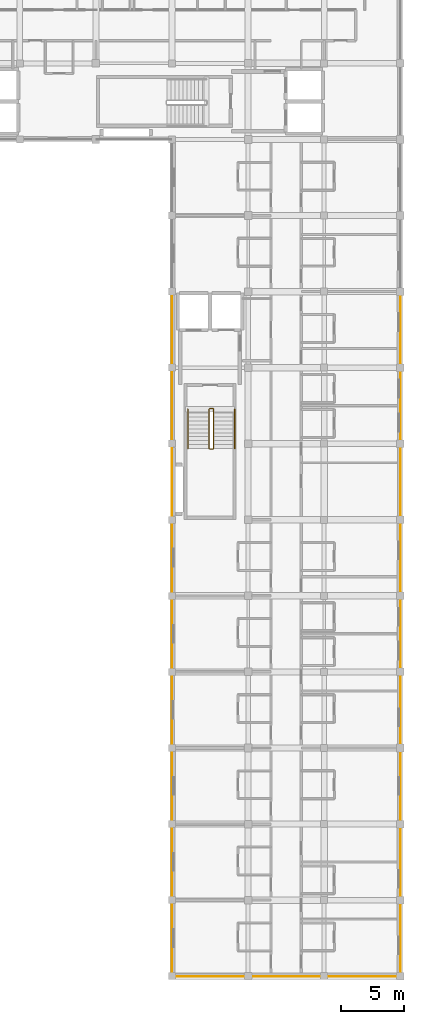
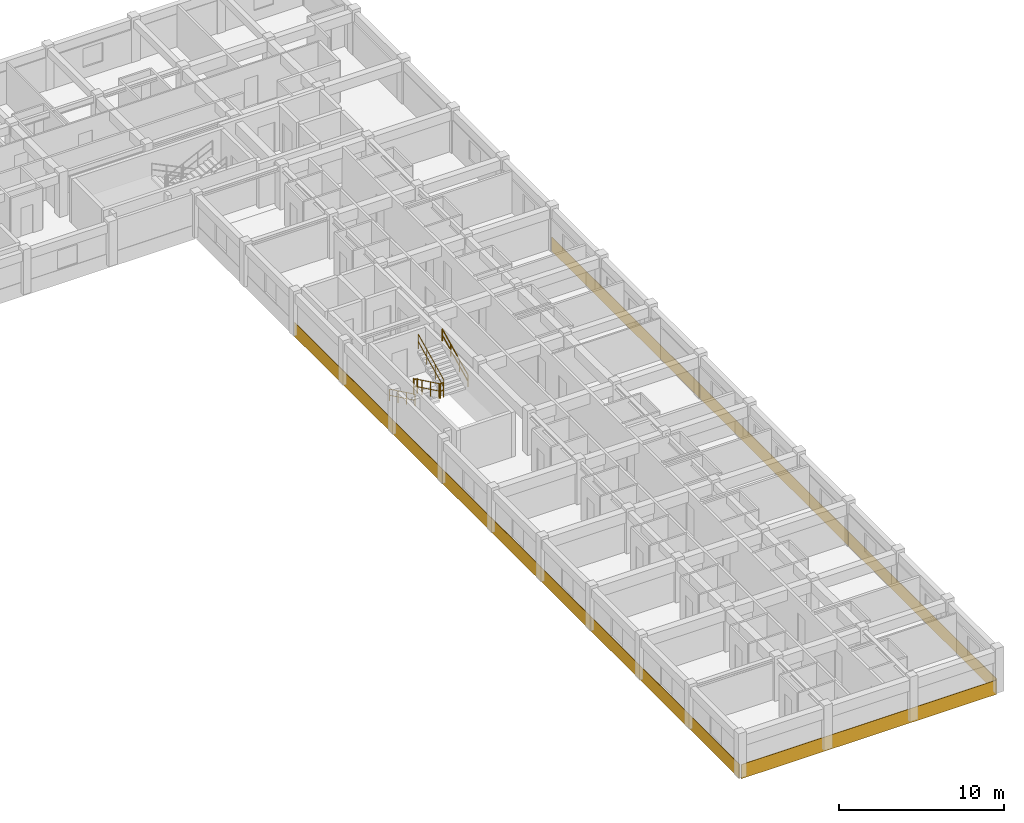
# One storey, part 18 of 22: 7 coverings, 6 railings.
"""IFC4 building model written with IfcOpenShell, lengths in metres."""

from ifc_helpers import new_model, si_unit, direction, frame, origin, origin_2d, place, context, subcontext, project, spatial, polyline, circle, outline, extrude, material, layer, layer_set, type_object, element, save


model = new_model("IFC4")

# Units and contexts
model_context = context("Model", 3, precision=1e-05, world=origin(), true_north=direction((0.0, 1.0)))
body_context = subcontext(model_context, "Body", "Model", "MODEL_VIEW")
ifc_project = project(units=[si_unit("LENGTHUNIT", "METRE"), si_unit("AREAUNIT", "SQUARE_METRE"), si_unit("VOLUMEUNIT", "CUBIC_METRE"), si_unit("PLANEANGLEUNIT", "RADIAN"), si_unit("MASSUNIT", "GRAM", prefix="KILO"), si_unit("THERMODYNAMICTEMPERATUREUNIT", "KELVIN"), si_unit("POWERUNIT", "WATT")], contexts=[model_context])

# Site, building, storey
site_placement = place(None, origin())
site = spatial("IfcSite", under=ifc_project, at=site_placement, CompositionType="ELEMENT")
building_placement = place(site_placement, origin())
building = spatial("IfcBuilding", under=site, at=building_placement, Name="Phaisarnlok Congress Hotel", CompositionType="ELEMENT")
storey_placement = place(building_placement, frame((0.0, 0.0, 28.199951171875)))
storey = spatial("IfcBuildingStorey", under=building, at=storey_placement, Name="L06", CompositionType="ELEMENT", Elevation=28.199951171875)

# Coverings
ifc_material_1 = material(Name="Anodised Silver Aluminium Alloy 6063-T6", Category="aluminium")
ifc_layer = layer(ifc_material_1, 0.031982421875, Name="Anodised Silver Aluminium Alloy 6063-T6")
ifc_layer_set = layer_set([ifc_layer], Name="Anodised Silver Aluminium Alloy 6063-T6")
covering_type = type_object("IfcCoveringType", Name="COV-SPAND-ALU", PredefinedType="CLADDING", material=ifc_layer_set)
for number, where, z_axis, x_axis, name in (
    (1, (179.9951171875, 42.06005859375, -0.280029296875), (1.0, 0.0, 0.0), (0.0, 1.0, 0.0), "Swiss minimalist anodised silver rainscreen band CL-02 (L06 E)"),
    (2, (179.9951171875, 60.06005859375, -0.280029296875), (1.0, 0.0, 0.0), (0.0, 1.0, 0.0), "Swiss minimalist anodised silver rainscreen band CL-02 (L06 E)"),
    (3, (179.9951171875, 78.06005859375, -0.280029296875), (1.0, 0.0, 0.0), (0.0, 1.0, 0.0), "Swiss minimalist anodised silver rainscreen band CL-02 (L06 E)"),
    (4, (162.0048828125, 60.06005859375, -0.280029296875), (-1.0, 0.0, 0.0), (0.0, -1.0, 0.0), "Swiss minimalist anodised silver rainscreen band CL-02 (L06 W)"),
    (5, (162.0048828125, 78.06005859375, -0.280029296875), (-1.0, 0.0, 0.0), (0.0, -1.0, 0.0), "Swiss minimalist anodised silver rainscreen band CL-02 (L06 W)"),
    (6, (162.0048828125, 96.06005859375, -0.280029296875), (-1.0, 0.0, 0.0), (0.0, -1.0, 0.0), "Swiss minimalist anodised silver rainscreen band CL-02 (L06 W)"),
):
    element("IfcCovering", number, at=place(storey_placement, frame(where, z_axis=z_axis, x_axis=x_axis)), inside=storey, type_object=covering_type, Name=name, PredefinedType="CLADDING", context=body_context, shape_type="SweptSolid", body=[
        extrude(outline(polyline([(0.0, 0.0), (18.0, 0.0), (18.0, 1.050048828125), (0.0, 1.050048828125), (0.0, 0.0)])), origin(), (0.0, 0.0, 1.0), 0.031982421875),
    ])
covering_placement = place(storey_placement, frame((162.06005859375, 42.0048828125, -0.280029296875), z_axis=(0.0, -1.0, 0.0), x_axis=(1.0, 0.0, 0.0)))
element("IfcCovering", 7, at=covering_placement, inside=storey, type_object=covering_type, Name="Swiss minimalist anodised silver rainscreen band CL-02 (L06 SG)", PredefinedType="CLADDING", context=body_context, shape_type="SweptSolid", body=[
    extrude(outline(polyline([(0.0, 0.0), (17.8798828125, 0.0), (17.8798828125, 1.050048828125), (0.0, 1.050048828125), (0.0, 0.0)])), origin(), (0.0, 0.0, 1.0), 0.031982421875),
])

# Railings
ifc_material_2 = material(Name="Painted Galvanised Steel S275", Category="steel")
railing_type_1 = type_object("IfcRailingType", Name="RLG-STR-GUARD", PredefinedType="BALUSTRADE", material=ifc_material_2)
railing_1_placement = place(storey_placement, frame((164.929931640625, 86.719970703125, 0.150146484375)))
element("IfcRailing", 8, at=railing_1_placement, inside=storey, type_object=railing_type_1, Name="L06 ST-09 stair guard 1", PredefinedType="BALUSTRADE", context=body_context, shape_type="SweptSolid", body=[
    extrude(circle(Radius=0.02392578125, at=origin_2d()), frame((0.0, 0.0, 1.076171875), z_axis=(0.0, -0.900151181449, 0.435577605641), x_axis=(1.0, 0.0, 0.0)), (0.0, 0.0, 1.0), 3.443603515625),
    extrude(circle(Radius=0.02392578125, at=origin_2d()), frame((0.0, 0.0, 0.52587890625), z_axis=(0.0, -0.900151181449, 0.435577605641), x_axis=(1.0, 0.0, 0.0)), (0.0, 0.0, 1.0), 3.443603515625),
    extrude(circle(Radius=0.02099609375, at=origin_2d()), origin(), (0.0, 0.0, 1.0), 1.052001953125),
    extrude(circle(Radius=0.02099609375, at=origin_2d()), frame((0.0, -1.033203125, 0.5)), (0.0, 0.0, 1.0), 1.052001953125),
    extrude(circle(Radius=0.02099609375, at=origin_2d()), frame((0.0, -2.066650390625, 1.0)), (0.0, 0.0, 1.0), 1.052001953125),
    extrude(circle(Radius=0.02099609375, at=origin_2d()), frame((0.0, -3.099853515625, 1.5)), (0.0, 0.0, 1.0), 1.052001953125),
])
railing_2_placement = place(storey_placement, frame((164.97998046875, 83.570068359375, 1.650146484375)))
element("IfcRailing", 9, at=railing_2_placement, inside=storey, type_object=railing_type_1, Name="L06 ST-09 stair guard 2", PredefinedType="BALUSTRADE", context=body_context, shape_type="SweptSolid", body=[
    extrude(circle(Radius=0.02392578125, at=origin_2d()), frame((0.0, 0.0, 1.076171875), z_axis=(1.0, 0.0, 0.0), x_axis=(0.0, 1.0, 0.0)), (0.0, 0.0, 1.0), 0.239990234375),
    extrude(circle(Radius=0.02392578125, at=origin_2d()), frame((0.0, 0.0, 0.52587890625), z_axis=(1.0, 0.0, 0.0), x_axis=(0.0, 1.0, 0.0)), (0.0, 0.0, 1.0), 0.239990234375),
    extrude(circle(Radius=0.02099609375, at=origin_2d()), origin(), (0.0, 0.0, 1.0), 1.052001953125),
    extrude(circle(Radius=0.02099609375, at=origin_2d()), frame((0.239990234375, 0.0, 0.0)), (0.0, 0.0, 1.0), 1.052001953125),
])
railing_3_placement = place(storey_placement, frame((165.27001953125, 83.6201171875, 1.800048828125)))
element("IfcRailing", 10, at=railing_3_placement, inside=storey, type_object=railing_type_1, Name="L06 ST-09 stair guard 3", PredefinedType="BALUSTRADE", context=body_context, shape_type="SweptSolid", body=[
    extrude(circle(Radius=0.02392578125, at=origin_2d()), frame((0.0, 0.0, 1.076171875), z_axis=(0.0, 0.900151181449, 0.435577605641), x_axis=(-1.0, 0.0, 0.0)), (0.0, 0.0, 1.0), 3.443603515625),
    extrude(circle(Radius=0.02392578125, at=origin_2d()), frame((0.0, 0.0, 0.52587890625), z_axis=(0.0, 0.900151181449, 0.435577605641), x_axis=(-1.0, 0.0, 0.0)), (0.0, 0.0, 1.0), 3.443603515625),
    extrude(circle(Radius=0.02099609375, at=origin_2d()), origin(), (0.0, 0.0, 1.0), 1.052001953125),
    extrude(circle(Radius=0.02099609375, at=origin_2d()), frame((0.0, 1.033203125, 0.5)), (0.0, 0.0, 1.0), 1.052001953125),
    extrude(circle(Radius=0.02099609375, at=origin_2d()), frame((0.0, 2.066650390625, 1.0)), (0.0, 0.0, 1.0), 1.052001953125),
    extrude(circle(Radius=0.02099609375, at=origin_2d()), frame((0.0, 3.099853515625, 1.5)), (0.0, 0.0, 1.0), 1.052001953125),
])
railing_4_placement = place(storey_placement, frame((164.97998046875, 86.77001953125, 0.0)))
element("IfcRailing", 11, at=railing_4_placement, inside=storey, type_object=railing_type_1, Name="L06 ST-09 stair guard 4", PredefinedType="BALUSTRADE", context=body_context, shape_type="SweptSolid", body=[
    extrude(circle(Radius=0.02392578125, at=origin_2d()), frame((0.0, 0.0, 1.076171875), z_axis=(1.0, 0.0, 0.0), x_axis=(0.0, 1.0, 0.0)), (0.0, 0.0, 1.0), 0.239990234375),
    extrude(circle(Radius=0.02392578125, at=origin_2d()), frame((0.0, 0.0, 0.52587890625), z_axis=(1.0, 0.0, 0.0), x_axis=(0.0, 1.0, 0.0)), (0.0, 0.0, 1.0), 0.239990234375),
    extrude(circle(Radius=0.02099609375, at=origin_2d()), origin(), (0.0, 0.0, 1.0), 1.052001953125),
    extrude(circle(Radius=0.02099609375, at=origin_2d()), frame((0.239990234375, 0.0, 0.0)), (0.0, 0.0, 1.0), 1.052001953125),
])
ifc_material_3 = material(Name="Brushed Stainless Steel Grade 304", Category="steel")
railing_type_2 = type_object("IfcRailingType", Name="RLG-STR-HRAIL", PredefinedType="HANDRAIL", material=ifc_material_3)
railing_5_placement = place(storey_placement, frame((163.25, 86.719970703125, 0.150146484375)))
element("IfcRailing", 12, at=railing_5_placement, inside=storey, type_object=railing_type_2, Name="L06 ST-09 stair handrail 1", PredefinedType="HANDRAIL", context=body_context, shape_type="SweptSolid", body=[
    extrude(circle(Radius=0.02392578125, at=origin_2d()), frame((0.0, 0.0, 0.8759765625), z_axis=(0.0, -0.900151181449, 0.435577605641), x_axis=(1.0, 0.0, 0.0)), (0.0, 0.0, 1.0), 3.443603515625),
    extrude(circle(Radius=0.02392578125, at=origin_2d()), frame((0.0, 0.0, 0.42578125), z_axis=(0.0, -0.900151181449, 0.435577605641), x_axis=(1.0, 0.0, 0.0)), (0.0, 0.0, 1.0), 3.443603515625),
    extrude(circle(Radius=0.02099609375, at=origin_2d()), origin(), (0.0, 0.0, 1.0), 0.851806640625),
    extrude(circle(Radius=0.02099609375, at=origin_2d()), frame((0.0, -1.033203125, 0.5)), (0.0, 0.0, 1.0), 0.851806640625),
    extrude(circle(Radius=0.02099609375, at=origin_2d()), frame((0.0, -2.066650390625, 1.0)), (0.0, 0.0, 1.0), 0.851806640625),
    extrude(circle(Radius=0.02099609375, at=origin_2d()), frame((0.0, -3.099853515625, 1.5)), (0.0, 0.0, 1.0), 0.851806640625),
])
railing_6_placement = place(storey_placement, frame((166.949951171875, 83.6201171875, 1.800048828125)))
element("IfcRailing", 13, at=railing_6_placement, inside=storey, type_object=railing_type_2, Name="L06 ST-09 stair handrail 2", PredefinedType="HANDRAIL", context=body_context, shape_type="SweptSolid", body=[
    extrude(circle(Radius=0.02392578125, at=origin_2d()), frame((0.0, 0.0, 0.8759765625), z_axis=(0.0, 0.900151181449, 0.435577605641), x_axis=(-1.0, 0.0, 0.0)), (0.0, 0.0, 1.0), 3.443603515625),
    extrude(circle(Radius=0.02392578125, at=origin_2d()), frame((0.0, 0.0, 0.42578125), z_axis=(0.0, 0.900151181449, 0.435577605641), x_axis=(-1.0, 0.0, 0.0)), (0.0, 0.0, 1.0), 3.443603515625),
    extrude(circle(Radius=0.02099609375, at=origin_2d()), origin(), (0.0, 0.0, 1.0), 0.851806640625),
    extrude(circle(Radius=0.02099609375, at=origin_2d()), frame((0.0, 1.033203125, 0.5)), (0.0, 0.0, 1.0), 0.851806640625),
    extrude(circle(Radius=0.02099609375, at=origin_2d()), frame((0.0, 2.066650390625, 1.0)), (0.0, 0.0, 1.0), 0.851806640625),
    extrude(circle(Radius=0.02099609375, at=origin_2d()), frame((0.0, 3.099853515625, 1.5)), (0.0, 0.0, 1.0), 0.851806640625),
])

save(model, "model.ifc")
